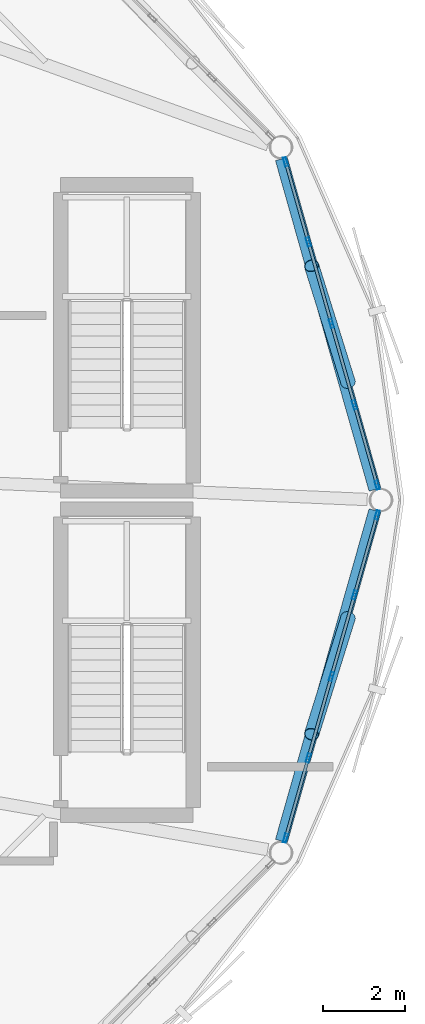
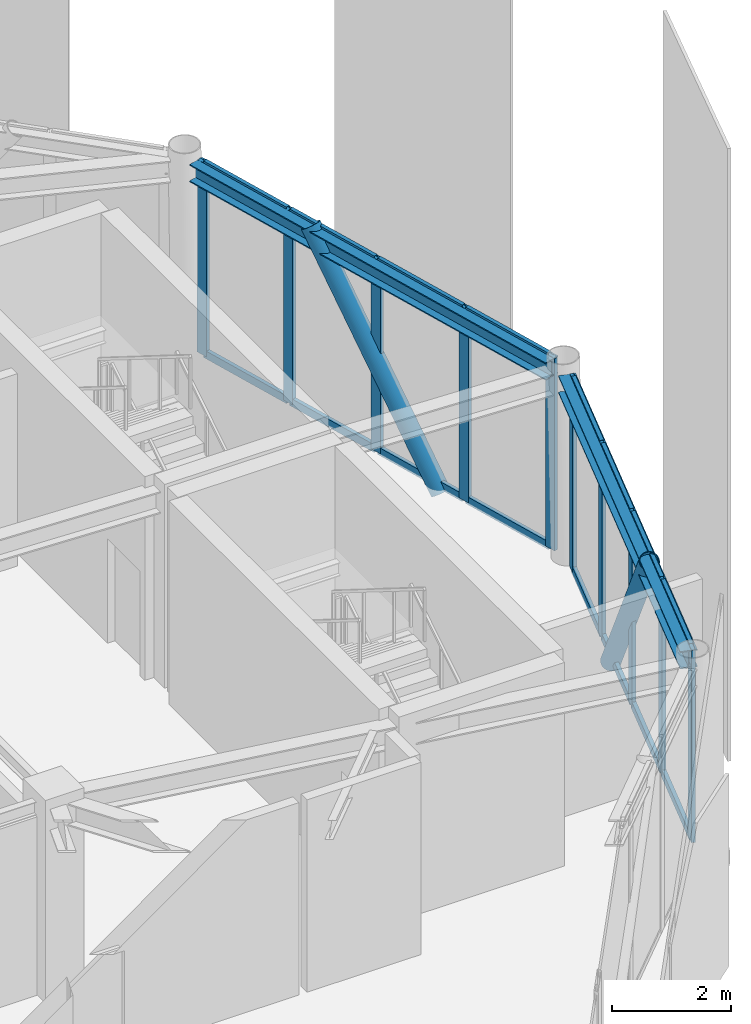
# One storey, part 12 of 20: 28 members, 2 beams, 2 elements without a shape of their own.
"""IFC4 building model written with IfcOpenShell, lengths in metres."""

from ifc_helpers import new_model, si_unit, direction, frame, origin, origin_2d, place, context, subcontext, project, spatial, hollow_rectangle, hollow_circle, i_section, extrude, material, layer, layer_set, material_profile, profile_set, type_object, element, aggregate, save


model = new_model("IFC4")

# Units and contexts
model_context = context("Model", 3, precision=1e-05, world=origin(), true_north=direction((0.0, 1.0)))
body_context = subcontext(model_context, "Body", "Model", "MODEL_VIEW")
ifc_project = project(units=[si_unit("LENGTHUNIT", "METRE"), si_unit("AREAUNIT", "SQUARE_METRE"), si_unit("VOLUMEUNIT", "CUBIC_METRE"), si_unit("PLANEANGLEUNIT", "RADIAN"), si_unit("MASSUNIT", "GRAM", prefix="KILO")], contexts=[model_context])

# Site, building, storey
site_placement = place(None, origin())
site = spatial("IfcSite", under=ifc_project, at=site_placement, CompositionType="ELEMENT")
building_placement = place(site_placement, origin())
building = spatial("IfcBuilding", under=site, at=building_placement, Name="Varnakorn Sky Granary", CompositionType="ELEMENT")
storey_placement = place(building_placement, frame((0.0, 0.0, 310.800048828125)))
storey = spatial("IfcBuildingStorey", under=building, at=storey_placement, Name="L79", CompositionType="ELEMENT", Elevation=310.800048828125)

# Beams
ifc_material_1 = material(Name="Steel S355JR", Category="steel")
ifc_material_profile_1 = material_profile(ifc_material_1, i_section(OverallWidth=0.300048828125, OverallDepth=0.360107421875, WebThickness=0.012451171875, FlangeThickness=0.0224609375, at=origin_2d()), Name="HE 360 B")
ifc_profile_set_1 = profile_set([ifc_material_profile_1], Name="Steel S355JR")
beam_type = type_object("IfcBeamType", Name="BM-SPD-Z5", PredefinedType="SPANDREL", material=ifc_profile_set_1)
for number, where, z_axis, x_axis, name in (
    (1, (22.013916015625, 0.25439453125, 3.780029296875), (-0.272445174788, 0.962171308414, 0.0), (-0.962171308414, -0.272445174788, 0.0), "Perimeter Spandrel Ring Beam RB01 L79"),
    (2, (19.73193359375, -8.3134765625, 3.780029296875), (0.272445174788, 0.962171308414, 0.0), (-0.962171308414, 0.272445174788, 0.0), "Perimeter Spandrel Ring Beam RB12 L79"),
):
    element("IfcBeam", number, at=place(storey_placement, frame(where, z_axis=z_axis, x_axis=x_axis)), inside=storey, type_object=beam_type, Name=name, PredefinedType="SPANDREL", context=body_context, shape_type="SweptSolid", body=[
        extrude(i_section(OverallWidth=0.300048828125, OverallDepth=0.360107421875, WebThickness=0.012451171875, FlangeThickness=0.0224609375, at=origin_2d()), origin(), (0.0, 0.0, 1.0), 8.3759765625),
    ])

# Curtain wall, members
ifc_material_2 = material(Name="Anodised Bronze Aluminium Alloy 6063-T6", Category="aluminium")
ifc_layer = layer(ifc_material_2, 0.22998046875, Name="Anodised Bronze Aluminium Alloy 6063-T6")
ifc_layer_set = layer_set([ifc_layer], Name="Anodised Bronze Aluminium Alloy 6063-T6")
curtain_wall_type = type_object("IfcCurtainWallType", Name="CW-LNT-1", PredefinedType="USERDEFINED", material=ifc_layer_set)
curtain_wall_1_placement = place(storey_placement, origin())
curtain_wall_1 = element("IfcCurtainWall", 3, at=curtain_wall_1_placement, inside=storey, type_object=curtain_wall_type, Name="Unitised Curtain Wall CW7 CW-L79-B01", ObjectType="CURTAIN WALL", PredefinedType="USERDEFINED")
ifc_material_profile_2 = material_profile(ifc_material_2, hollow_rectangle(XDim=0.074951171875, YDim=0.219970703125, WallThickness=0.00390625, at=origin_2d()), Name="ALU MULL 75x220")
ifc_profile_set_2 = profile_set([ifc_material_profile_2], Name="Anodised Bronze Aluminium Alloy 6063-T6")
member_type_1 = type_object("IfcMemberType", Name="CW-LNT-1-MULL", PredefinedType="MULLION", material=ifc_profile_set_2)
member_1_placement = place(storey_placement, frame((19.836181640625, 8.2412109375, 0.0), z_axis=(0.0, 0.0, 1.0), x_axis=(0.962133920047, 0.272577181537, 0.0)))
member_1 = element("IfcMember", 4, at=member_1_placement, type_object=member_type_1, Name="CW7 mullion 1", PredefinedType="MULLION", context=body_context, shape_type="SweptSolid", body=[
    extrude(hollow_rectangle(XDim=0.074951171875, YDim=0.219970703125, WallThickness=0.00390625, at=origin_2d()), origin(), (0.0, 0.0, 1.0), 3.9599609375),
])
member_2_placement = place(storey_placement, frame((20.38916015625, 6.289794921875, 0.0), z_axis=(0.0, 0.0, 1.0), x_axis=(0.962133920047, 0.272577181537, 0.0)))
member_2 = element("IfcMember", 5, at=member_2_placement, type_object=member_type_1, Name="CW7 mullion 2", PredefinedType="MULLION", context=body_context, shape_type="SweptSolid", body=[
    extrude(hollow_rectangle(XDim=0.074951171875, YDim=0.219970703125, WallThickness=0.00390625, at=origin_2d()), origin(), (0.0, 0.0, 1.0), 3.9599609375),
])
member_3_placement = place(storey_placement, frame((20.9521484375, 4.302001953125, 0.0), z_axis=(0.0, 0.0, 1.0), x_axis=(0.962133920047, 0.272577181537, 0.0)))
member_3 = element("IfcMember", 6, at=member_3_placement, type_object=member_type_1, Name="CW7 mullion 3", PredefinedType="MULLION", context=body_context, shape_type="SweptSolid", body=[
    extrude(hollow_rectangle(XDim=0.074951171875, YDim=0.219970703125, WallThickness=0.00390625, at=origin_2d()), origin(), (0.0, 0.0, 1.0), 3.9599609375),
])
member_4_placement = place(storey_placement, frame((21.515380859375, 2.314208984375, 0.0), z_axis=(0.0, 0.0, 1.0), x_axis=(0.962133920047, 0.272577181537, 0.0)))
member_4 = element("IfcMember", 7, at=member_4_placement, type_object=member_type_1, Name="CW7 mullion 4", PredefinedType="MULLION", context=body_context, shape_type="SweptSolid", body=[
    extrude(hollow_rectangle(XDim=0.074951171875, YDim=0.219970703125, WallThickness=0.00390625, at=origin_2d()), origin(), (0.0, 0.0, 1.0), 3.9599609375),
])
member_5_placement = place(storey_placement, frame((22.068359375, 0.36279296875, 0.0), z_axis=(0.0, 0.0, 1.0), x_axis=(0.962133920047, 0.272577181537, 0.0)))
member_5 = element("IfcMember", 8, at=member_5_placement, type_object=member_type_1, Name="CW7 mullion 5", PredefinedType="MULLION", context=body_context, shape_type="SweptSolid", body=[
    extrude(hollow_rectangle(XDim=0.074951171875, YDim=0.219970703125, WallThickness=0.00390625, at=origin_2d()), origin(), (0.0, 0.0, 1.0), 3.9599609375),
])

curtain_wall_2_placement = place(storey_placement, origin())
curtain_wall_2 = element("IfcCurtainWall", 9, at=curtain_wall_2_placement, inside=storey, type_object=curtain_wall_type, Name="Unitised Curtain Wall CW7 CW-L79-B12", ObjectType="CURTAIN WALL", PredefinedType="USERDEFINED")
member_6_placement = place(storey_placement, frame((22.068359375, -0.36279296875, 0.0), z_axis=(0.0, 0.0, 1.0), x_axis=(0.962133920047, -0.272577181537, 0.0)))
member_6 = element("IfcMember", 10, at=member_6_placement, type_object=member_type_1, Name="CW7 mullion 1", PredefinedType="MULLION", context=body_context, shape_type="SweptSolid", body=[
    extrude(hollow_rectangle(XDim=0.074951171875, YDim=0.219970703125, WallThickness=0.00390625, at=origin_2d()), origin(), (0.0, 0.0, 1.0), 3.9599609375),
])
member_7_placement = place(storey_placement, frame((21.515380859375, -2.314208984375, 0.0), z_axis=(0.0, 0.0, 1.0), x_axis=(0.962133920047, -0.272577181537, 0.0)))
member_7 = element("IfcMember", 11, at=member_7_placement, type_object=member_type_1, Name="CW7 mullion 2", PredefinedType="MULLION", context=body_context, shape_type="SweptSolid", body=[
    extrude(hollow_rectangle(XDim=0.074951171875, YDim=0.219970703125, WallThickness=0.00390625, at=origin_2d()), origin(), (0.0, 0.0, 1.0), 3.9599609375),
])
member_8_placement = place(storey_placement, frame((20.9521484375, -4.302001953125, 0.0), z_axis=(0.0, 0.0, 1.0), x_axis=(0.962133920047, -0.272577181537, 0.0)))
member_8 = element("IfcMember", 12, at=member_8_placement, type_object=member_type_1, Name="CW7 mullion 3", PredefinedType="MULLION", context=body_context, shape_type="SweptSolid", body=[
    extrude(hollow_rectangle(XDim=0.074951171875, YDim=0.219970703125, WallThickness=0.00390625, at=origin_2d()), origin(), (0.0, 0.0, 1.0), 3.9599609375),
])
member_9_placement = place(storey_placement, frame((20.38916015625, -6.289794921875, 0.0), z_axis=(0.0, 0.0, 1.0), x_axis=(0.962133920047, -0.272577181537, 0.0)))
member_9 = element("IfcMember", 13, at=member_9_placement, type_object=member_type_1, Name="CW7 mullion 4", PredefinedType="MULLION", context=body_context, shape_type="SweptSolid", body=[
    extrude(hollow_rectangle(XDim=0.074951171875, YDim=0.219970703125, WallThickness=0.00390625, at=origin_2d()), origin(), (0.0, 0.0, 1.0), 3.9599609375),
])
member_10_placement = place(storey_placement, frame((19.836181640625, -8.2412109375, 0.0), z_axis=(0.0, 0.0, 1.0), x_axis=(0.962133920047, -0.272577181537, 0.0)))
member_10 = element("IfcMember", 14, at=member_10_placement, type_object=member_type_1, Name="CW7 mullion 5", PredefinedType="MULLION", context=body_context, shape_type="SweptSolid", body=[
    extrude(hollow_rectangle(XDim=0.074951171875, YDim=0.219970703125, WallThickness=0.00390625, at=origin_2d()), origin(), (0.0, 0.0, 1.0), 3.9599609375),
])

# Member
ifc_material_profile_3 = material_profile(ifc_material_2, hollow_rectangle(XDim=0.074951171875, YDim=0.159912109375, WallThickness=0.00390625, at=origin_2d()), Name="ALU TRAN 75x160")
ifc_profile_set_3 = profile_set([ifc_material_profile_3], Name="Anodised Bronze Aluminium Alloy 6063-T6")
member_type_2 = type_object("IfcMemberType", Name="CW-LNT-1-TRAN", PredefinedType="USERDEFINED", material=ifc_profile_set_3)
member_11_placement = place(storey_placement, frame((19.846435546875, 8.205322265625, 0.037353515625), z_axis=(0.272558227155, -0.962139289713, 0.0), x_axis=(0.962139289713, 0.272558227155, 0.0)))
member_11 = element("IfcMember", 15, at=member_11_placement, type_object=member_type_2, Name="CW7 transom 1.1", ObjectType="TRANSOM", PredefinedType="USERDEFINED", context=body_context, shape_type="SweptSolid", body=[
    extrude(hollow_rectangle(XDim=0.074951171875, YDim=0.159912109375, WallThickness=0.00390625, at=origin_2d()), origin(), (0.0, 0.0, 1.0), 1.95361328125),
])

member_12_placement = place(storey_placement, frame((19.846435546875, 8.205322265625, 3.92236328125), z_axis=(0.272558227155, -0.962139289713, 0.0), x_axis=(0.962139289713, 0.272558227155, 0.0)))
member_12 = element("IfcMember", 16, at=member_12_placement, type_object=member_type_2, Name="CW7 transom 1.2", ObjectType="TRANSOM", PredefinedType="USERDEFINED", context=body_context, shape_type="SweptSolid", body=[
    extrude(hollow_rectangle(XDim=0.074951171875, YDim=0.159912109375, WallThickness=0.00390625, at=origin_2d()), origin(), (0.0, 0.0, 1.0), 1.95361328125),
])

member_13_placement = place(storey_placement, frame((20.3994140625, 6.253662109375, 0.037353515625), z_axis=(0.272598788657, -0.962127798384, 0.0), x_axis=(0.962127798384, 0.272598788657, 0.0)))
member_13 = element("IfcMember", 17, at=member_13_placement, type_object=member_type_2, Name="CW7 transom 2.1", ObjectType="TRANSOM", PredefinedType="USERDEFINED", context=body_context, shape_type="SweptSolid", body=[
    extrude(hollow_rectangle(XDim=0.074951171875, YDim=0.159912109375, WallThickness=0.00390625, at=origin_2d()), origin(), (0.0, 0.0, 1.0), 1.990966796875),
])

member_14_placement = place(storey_placement, frame((20.3994140625, 6.253662109375, 3.92236328125), z_axis=(0.272598788657, -0.962127798384, 0.0), x_axis=(0.962127798384, 0.272598788657, 0.0)))
member_14 = element("IfcMember", 18, at=member_14_placement, type_object=member_type_2, Name="CW7 transom 2.2", ObjectType="TRANSOM", PredefinedType="USERDEFINED", context=body_context, shape_type="SweptSolid", body=[
    extrude(hollow_rectangle(XDim=0.074951171875, YDim=0.159912109375, WallThickness=0.00390625, at=origin_2d()), origin(), (0.0, 0.0, 1.0), 1.990966796875),
])

member_15_placement = place(storey_placement, frame((20.96240234375, 4.265869140625, 0.037353515625), z_axis=(0.272598788657, -0.962127798384, 0.0), x_axis=(0.962127798384, 0.272598788657, 0.0)))
member_15 = element("IfcMember", 19, at=member_15_placement, type_object=member_type_2, Name="CW7 transom 3.1", ObjectType="TRANSOM", PredefinedType="USERDEFINED", context=body_context, shape_type="SweptSolid", body=[
    extrude(hollow_rectangle(XDim=0.074951171875, YDim=0.159912109375, WallThickness=0.00390625, at=origin_2d()), origin(), (0.0, 0.0, 1.0), 1.990966796875),
])

member_16_placement = place(storey_placement, frame((20.96240234375, 4.265869140625, 3.92236328125), z_axis=(0.272598788657, -0.962127798384, 0.0), x_axis=(0.962127798384, 0.272598788657, 0.0)))
member_16 = element("IfcMember", 20, at=member_16_placement, type_object=member_type_2, Name="CW7 transom 3.2", ObjectType="TRANSOM", PredefinedType="USERDEFINED", context=body_context, shape_type="SweptSolid", body=[
    extrude(hollow_rectangle(XDim=0.074951171875, YDim=0.159912109375, WallThickness=0.00390625, at=origin_2d()), origin(), (0.0, 0.0, 1.0), 1.990966796875),
])

member_17_placement = place(storey_placement, frame((21.525634765625, 2.2783203125, 0.037353515625), z_axis=(0.272558227155, -0.962139289713, 0.0), x_axis=(0.962139289713, 0.272558227155, 0.0)))
member_17 = element("IfcMember", 21, at=member_17_placement, type_object=member_type_2, Name="CW7 transom 4.1", ObjectType="TRANSOM", PredefinedType="USERDEFINED", context=body_context, shape_type="SweptSolid", body=[
    extrude(hollow_rectangle(XDim=0.074951171875, YDim=0.159912109375, WallThickness=0.00390625, at=origin_2d()), origin(), (0.0, 0.0, 1.0), 1.95361328125),
])

member_18_placement = place(storey_placement, frame((21.525634765625, 2.2783203125, 3.92236328125), z_axis=(0.272558227155, -0.962139289713, 0.0), x_axis=(0.962139289713, 0.272558227155, 0.0)))
member_18 = element("IfcMember", 22, at=member_18_placement, type_object=member_type_2, Name="CW7 transom 4.2", ObjectType="TRANSOM", PredefinedType="USERDEFINED", context=body_context, shape_type="SweptSolid", body=[
    extrude(hollow_rectangle(XDim=0.074951171875, YDim=0.159912109375, WallThickness=0.00390625, at=origin_2d()), origin(), (0.0, 0.0, 1.0), 1.95361328125),
])

aggregate(curtain_wall_1, [member_1, member_2, member_3, member_4, member_5, member_11, member_12, member_13, member_14, member_15, member_16, member_17, member_18])

member_19_placement = place(storey_placement, frame((22.05810546875, -0.398681640625, 0.037353515625), z_axis=(-0.272558227155, -0.962139289713, 0.0), x_axis=(0.962139289713, -0.272558227155, 0.0)))
member_19 = element("IfcMember", 23, at=member_19_placement, type_object=member_type_2, Name="CW7 transom 1.1", ObjectType="TRANSOM", PredefinedType="USERDEFINED", context=body_context, shape_type="SweptSolid", body=[
    extrude(hollow_rectangle(XDim=0.074951171875, YDim=0.159912109375, WallThickness=0.00390625, at=origin_2d()), origin(), (0.0, 0.0, 1.0), 1.95361328125),
])

member_20_placement = place(storey_placement, frame((22.05810546875, -0.398681640625, 3.92236328125), z_axis=(-0.272558227155, -0.962139289713, 0.0), x_axis=(0.962139289713, -0.272558227155, 0.0)))
member_20 = element("IfcMember", 24, at=member_20_placement, type_object=member_type_2, Name="CW7 transom 1.2", ObjectType="TRANSOM", PredefinedType="USERDEFINED", context=body_context, shape_type="SweptSolid", body=[
    extrude(hollow_rectangle(XDim=0.074951171875, YDim=0.159912109375, WallThickness=0.00390625, at=origin_2d()), origin(), (0.0, 0.0, 1.0), 1.95361328125),
])

member_21_placement = place(storey_placement, frame((21.505126953125, -2.350341796875, 0.037353515625), z_axis=(-0.272598788657, -0.962127798384, 0.0), x_axis=(0.962127798384, -0.272598788657, 0.0)))
member_21 = element("IfcMember", 25, at=member_21_placement, type_object=member_type_2, Name="CW7 transom 2.1", ObjectType="TRANSOM", PredefinedType="USERDEFINED", context=body_context, shape_type="SweptSolid", body=[
    extrude(hollow_rectangle(XDim=0.074951171875, YDim=0.159912109375, WallThickness=0.00390625, at=origin_2d()), origin(), (0.0, 0.0, 1.0), 1.990966796875),
])

member_22_placement = place(storey_placement, frame((21.505126953125, -2.350341796875, 3.92236328125), z_axis=(-0.272598788657, -0.962127798384, 0.0), x_axis=(0.962127798384, -0.272598788657, 0.0)))
member_22 = element("IfcMember", 26, at=member_22_placement, type_object=member_type_2, Name="CW7 transom 2.2", ObjectType="TRANSOM", PredefinedType="USERDEFINED", context=body_context, shape_type="SweptSolid", body=[
    extrude(hollow_rectangle(XDim=0.074951171875, YDim=0.159912109375, WallThickness=0.00390625, at=origin_2d()), origin(), (0.0, 0.0, 1.0), 1.990966796875),
])

member_23_placement = place(storey_placement, frame((20.942138671875, -4.338134765625, 0.037353515625), z_axis=(-0.272598788657, -0.962127798384, 0.0), x_axis=(0.962127798384, -0.272598788657, 0.0)))
member_23 = element("IfcMember", 27, at=member_23_placement, type_object=member_type_2, Name="CW7 transom 3.1", ObjectType="TRANSOM", PredefinedType="USERDEFINED", context=body_context, shape_type="SweptSolid", body=[
    extrude(hollow_rectangle(XDim=0.074951171875, YDim=0.159912109375, WallThickness=0.00390625, at=origin_2d()), origin(), (0.0, 0.0, 1.0), 1.990966796875),
])

member_24_placement = place(storey_placement, frame((20.942138671875, -4.338134765625, 3.92236328125), z_axis=(-0.272598788657, -0.962127798384, 0.0), x_axis=(0.962127798384, -0.272598788657, 0.0)))
member_24 = element("IfcMember", 28, at=member_24_placement, type_object=member_type_2, Name="CW7 transom 3.2", ObjectType="TRANSOM", PredefinedType="USERDEFINED", context=body_context, shape_type="SweptSolid", body=[
    extrude(hollow_rectangle(XDim=0.074951171875, YDim=0.159912109375, WallThickness=0.00390625, at=origin_2d()), origin(), (0.0, 0.0, 1.0), 1.990966796875),
])

member_25_placement = place(storey_placement, frame((20.37890625, -6.32568359375, 0.037353515625), z_axis=(-0.272558227155, -0.962139289713, 0.0), x_axis=(0.962139289713, -0.272558227155, 0.0)))
member_25 = element("IfcMember", 29, at=member_25_placement, type_object=member_type_2, Name="CW7 transom 4.1", ObjectType="TRANSOM", PredefinedType="USERDEFINED", context=body_context, shape_type="SweptSolid", body=[
    extrude(hollow_rectangle(XDim=0.074951171875, YDim=0.159912109375, WallThickness=0.00390625, at=origin_2d()), origin(), (0.0, 0.0, 1.0), 1.95361328125),
])

member_26_placement = place(storey_placement, frame((20.37890625, -6.32568359375, 3.92236328125), z_axis=(-0.272558227155, -0.962139289713, 0.0), x_axis=(0.962139289713, -0.272558227155, 0.0)))
member_26 = element("IfcMember", 30, at=member_26_placement, type_object=member_type_2, Name="CW7 transom 4.2", ObjectType="TRANSOM", PredefinedType="USERDEFINED", context=body_context, shape_type="SweptSolid", body=[
    extrude(hollow_rectangle(XDim=0.074951171875, YDim=0.159912109375, WallThickness=0.00390625, at=origin_2d()), origin(), (0.0, 0.0, 1.0), 1.95361328125),
])

aggregate(curtain_wall_2, [member_6, member_7, member_8, member_9, member_10, member_19, member_20, member_21, member_22, member_23, member_24, member_25, member_26])

# Members
ifc_material_3 = material(Name="Steel S460M", Category="steel")
ifc_material_profile_4 = material_profile(ifc_material_3, hollow_circle(Radius=0.177734375, WallThickness=0.01416015625, at=origin_2d()), Name="CHS 355.6x14")
ifc_profile_set_4 = profile_set([ifc_material_profile_4], Name="Steel S460M")
member_type_3 = type_object("IfcMemberType", Name="MB-DIAG-T5", PredefinedType="BRACE", material=ifc_profile_set_4)
for number, where, z_axis, x_axis, name in (
    (31, (21.3583984375, 2.867919921875, -0.130126953125), (-0.175849450935, 0.561994582699, 0.808232058027), (-0.954370580389, -0.298624840374, 0.0), "Perimeter CHS Diagrid Brace DG01 L79"),
    (32, (21.3583984375, -2.867919921875, -0.130126953125), (-0.175849450935, -0.561994582699, 0.808232058027), (0.954370580389, -0.298624840374, 0.0), "Perimeter CHS Diagrid Brace DG12 L79"),
):
    element("IfcMember", number, at=place(storey_placement, frame(where, z_axis=z_axis, x_axis=x_axis)), inside=storey, type_object=member_type_3, Name=name, PredefinedType="BRACE", context=body_context, shape_type="SweptSolid", body=[
        extrude(hollow_circle(Radius=0.177734375, WallThickness=0.01416015625, at=origin_2d()), origin(), (0.0, 0.0, 1.0), 5.060546875),
    ])

save(model, "model.ifc")
